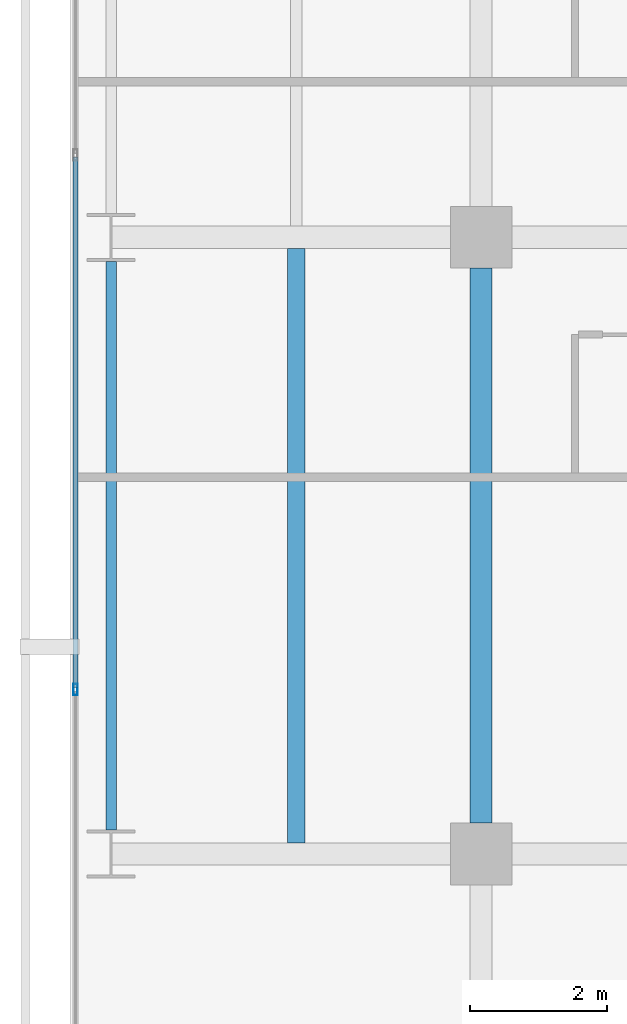
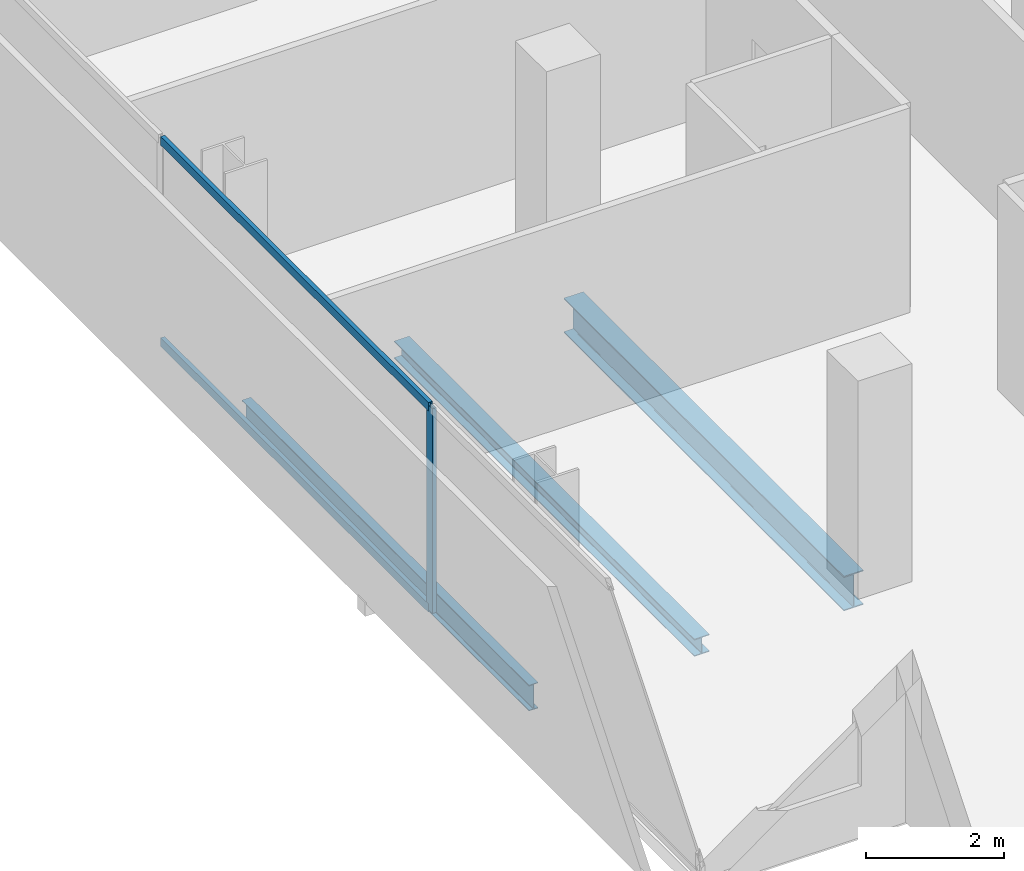
# One storey, part 5 of 40: 3 beams, 3 members, 1 element without a shape of its own.
"""IFC4 building model written with IfcOpenShell, lengths in metres."""

from ifc_helpers import new_model, si_unit, direction, frame, origin, origin_2d, place, context, subcontext, project, spatial, hollow_rectangle, i_section, extrude, material, layer, layer_set, material_profile, profile_set, type_object, element, aggregate, save


model = new_model("IFC4")

# Units and contexts
model_context = context("Model", 3, precision=1e-05, world=origin(), true_north=direction((0.0, 1.0)))
body_context = subcontext(model_context, "Body", "Model", "MODEL_VIEW")
ifc_project = project(units=[si_unit("LENGTHUNIT", "METRE"), si_unit("AREAUNIT", "SQUARE_METRE"), si_unit("VOLUMEUNIT", "CUBIC_METRE"), si_unit("PLANEANGLEUNIT", "RADIAN"), si_unit("MASSUNIT", "GRAM", prefix="KILO")], contexts=[model_context])

# Site, building, storey
site_placement = place(None, origin())
site = spatial("IfcSite", under=ifc_project, at=site_placement, CompositionType="ELEMENT")
building_placement = place(site_placement, origin())
building = spatial("IfcBuilding", under=site, at=building_placement, Name="Maruvema Waterfront Hotel and Observation Tower", CompositionType="ELEMENT")
storey_placement = place(building_placement, frame((0.0, 0.0, 92.39990234375)))
storey = spatial("IfcBuildingStorey", under=building, at=storey_placement, Name="L22", CompositionType="ELEMENT", Elevation=92.39990234375)

# Curtain wall, members
ifc_material_1 = material(Name="Anodised bronze aluminium and solar-control low-E IGU", Category="aluminium")
ifc_layer = layer(ifc_material_1, 0.159912109375, Name="Zone 1 Bronze Inner Thermal Curtain Wall System CW-02")
ifc_layer_set = layer_set([ifc_layer], Name="Anodised bronze aluminium and solar-control low-E IGU")
curtain_wall_type = type_object("IfcCurtainWallType", Name="Zone 1 Bronze Inner Thermal Curtain Wall System CW-02", PredefinedType="USERDEFINED", material=ifc_layer_set)
curtain_wall_placement = place(storey_placement, origin())
curtain_wall = element("IfcCurtainWall", 1, at=curtain_wall_placement, inside=storey, type_object=curtain_wall_type, Name="L22 Curtain Wall CW-L22-W", ObjectType="UNITISED CURTAIN WALL", PredefinedType="USERDEFINED")
ifc_material_2 = material(Name="Anodised architectural bronze aluminium", Category="aluminium")
ifc_material_profile_1 = material_profile(ifc_material_2, hollow_rectangle(XDim=0.070068359375, YDim=0.14990234375, WallThickness=0.00390625, at=origin_2d()), Name="ALU-T70x150")
ifc_profile_set_1 = profile_set([ifc_material_profile_1], Name="Anodised architectural bronze aluminium")
member_type_1 = type_object("IfcMemberType", Name="Curtain Wall Horizontal Transom ALU-T70x150", PredefinedType="USERDEFINED", material=ifc_profile_set_1)
member_1_placement = place(storey_placement, frame((10.8798828125, 19.169921875, 0.030029296875), z_axis=(0.0, -1.0, 0.0), x_axis=(1.0, 0.0, 0.0)))
member_1 = element("IfcMember", 2, at=member_1_placement, type_object=member_type_1, Name="CW-02 transom 5.1", ObjectType="TRANSOM", PredefinedType="USERDEFINED", context=body_context, shape_type="SweptSolid", body=[
    extrude(hollow_rectangle(XDim=0.070068359375, YDim=0.14990234375, WallThickness=0.00390625, at=origin_2d()), origin(), (0.0, 0.0, 1.0), 7.739990234375),
])
member_2_placement = place(storey_placement, frame((10.8798828125, 19.169921875, 3.580078125), z_axis=(0.0, -1.0, 0.0), x_axis=(1.0, 0.0, 0.0)))
member_2 = element("IfcMember", 3, at=member_2_placement, type_object=member_type_1, Name="CW-02 transom 5.2", ObjectType="TRANSOM", PredefinedType="USERDEFINED", context=body_context, shape_type="SweptSolid", body=[
    extrude(hollow_rectangle(XDim=0.070068359375, YDim=0.14990234375, WallThickness=0.00390625, at=origin_2d()), origin(), (0.0, 0.0, 1.0), 7.739990234375),
])
ifc_material_3 = material(Name="Anodised architectural bronze aluminium", Category="aluminium")
ifc_material_profile_2 = material_profile(ifc_material_3, hollow_rectangle(XDim=0.06494140625, YDim=0.1650390625, WallThickness=0.00390625, at=origin_2d()), Name="ALU-M65x165")
ifc_profile_set_2 = profile_set([ifc_material_profile_2], Name="Anodised architectural bronze aluminium")
member_type_2 = type_object("IfcMemberType", Name="Curtain Wall Primary Mullion ALU-M65x165", PredefinedType="MULLION", material=ifc_profile_set_2)
member_3_placement = place(storey_placement, frame((10.8798828125, 11.39990234375, 0.0), z_axis=(0.0, 0.0, 1.0), x_axis=(1.0, 0.0, 0.0)))
member_3 = element("IfcMember", 4, at=member_3_placement, type_object=member_type_2, Name="CW-02 mullion 6", PredefinedType="MULLION", context=body_context, shape_type="SweptSolid", body=[
    extrude(hollow_rectangle(XDim=0.06494140625, YDim=0.1650390625, WallThickness=0.00390625, at=origin_2d()), origin(), (0.0, 0.0, 1.0), 3.610107421875),
])
aggregate(curtain_wall, [member_3, member_1, member_2])

# Beams
ifc_material_4 = material(Name="Steel ASTM A572 Grade 50", Category="steel")
ifc_material_profile_3 = material_profile(ifc_material_4, i_section(OverallWidth=0.153076171875, OverallDepth=0.455078125, WebThickness=0.008056640625, FlangeThickness=0.01318359375, FilletRadius=0.014892578125, at=origin_2d()), Name="W460x60.0")
ifc_profile_set_3 = profile_set([ifc_material_profile_3], Name="Steel ASTM A572 Grade 50")
beam_type_1 = type_object("IfcBeamType", Name="Perimeter Spandrel Beam W460x60.0", PredefinedType="SPANDREL", material=ifc_profile_set_3)
beam_1_placement = place(storey_placement, frame((11.39990234375, 9.35009765625, -0.46728515625), z_axis=(0.0, 1.0, 0.0), x_axis=(-1.0, 0.0, 0.0)))
element("IfcBeam", 5, at=beam_1_placement, inside=storey, type_object=beam_type_1, Name="L22 Floor Girder NS-01", PredefinedType="SPANDREL", context=body_context, shape_type="SweptSolid", body=[
    extrude(i_section(OverallWidth=0.153076171875, OverallDepth=0.455078125, WebThickness=0.008056640625, FlangeThickness=0.01318359375, FilletRadius=0.014892578125, at=origin_2d()), origin(), (0.0, 0.0, 1.0), 8.2998046875),
])
ifc_material_5 = material(Name="Steel ASTM A572 Grade 50", Category="steel")
ifc_material_profile_4 = material_profile(ifc_material_5, i_section(OverallWidth=0.323974609375, OverallDepth=0.611083984375, WebThickness=0.0126953125, FlangeThickness=0.01904296875, FilletRadius=0.01806640625, at=origin_2d()), Name="W610x155.0")
ifc_profile_set_4 = profile_set([ifc_material_profile_4], Name="Steel ASTM A572 Grade 50")
beam_type_2 = type_object("IfcBeamType", Name="Primary Floor Girder W610x155.0", PredefinedType="BEAM", material=ifc_profile_set_4)
beam_2_placement = place(storey_placement, frame((16.800048828125, 9.449951171875, -0.54541015625), z_axis=(0.0, 1.0, 0.0), x_axis=(-1.0, 0.0, 0.0)))
element("IfcBeam", 6, at=beam_2_placement, inside=storey, type_object=beam_type_2, Name="L22 Floor Girder NS-06", PredefinedType="BEAM", context=body_context, shape_type="SweptSolid", body=[
    extrude(i_section(OverallWidth=0.323974609375, OverallDepth=0.611083984375, WebThickness=0.0126953125, FlangeThickness=0.01904296875, FilletRadius=0.01806640625, at=origin_2d()), origin(), (0.0, 0.0, 1.0), 8.10009765625),
])
ifc_material_6 = material(Name="Steel ASTM A572 Grade 50", Category="steel")
ifc_material_profile_5 = material_profile(ifc_material_6, i_section(OverallWidth=0.25390625, OverallDepth=0.305908203125, WebThickness=0.0087890625, FlangeThickness=0.0146484375, FilletRadius=0.014892578125, at=origin_2d()), Name="W310x79.0")
ifc_profile_set_5 = profile_set([ifc_material_profile_5], Name="Steel ASTM A572 Grade 50")
beam_type_3 = type_object("IfcBeamType", Name="Secondary Floor Joist W310x79.0", PredefinedType="JOIST", material=ifc_profile_set_5)
beam_3_placement = place(storey_placement, frame((14.10009765625, 9.162109375, -0.392822265625), z_axis=(0.0, 1.0, 0.0), x_axis=(-1.0, 0.0, 0.0)))
element("IfcBeam", 7, at=beam_3_placement, inside=storey, type_object=beam_type_3, Name="L22 Secondary Floor Joist JS-01", PredefinedType="JOIST", context=body_context, shape_type="SweptSolid", body=[
    extrude(i_section(OverallWidth=0.25390625, OverallDepth=0.305908203125, WebThickness=0.0087890625, FlangeThickness=0.0146484375, FilletRadius=0.014892578125, at=origin_2d()), origin(), (0.0, 0.0, 1.0), 8.67578125),
])

save(model, "model.ifc")
